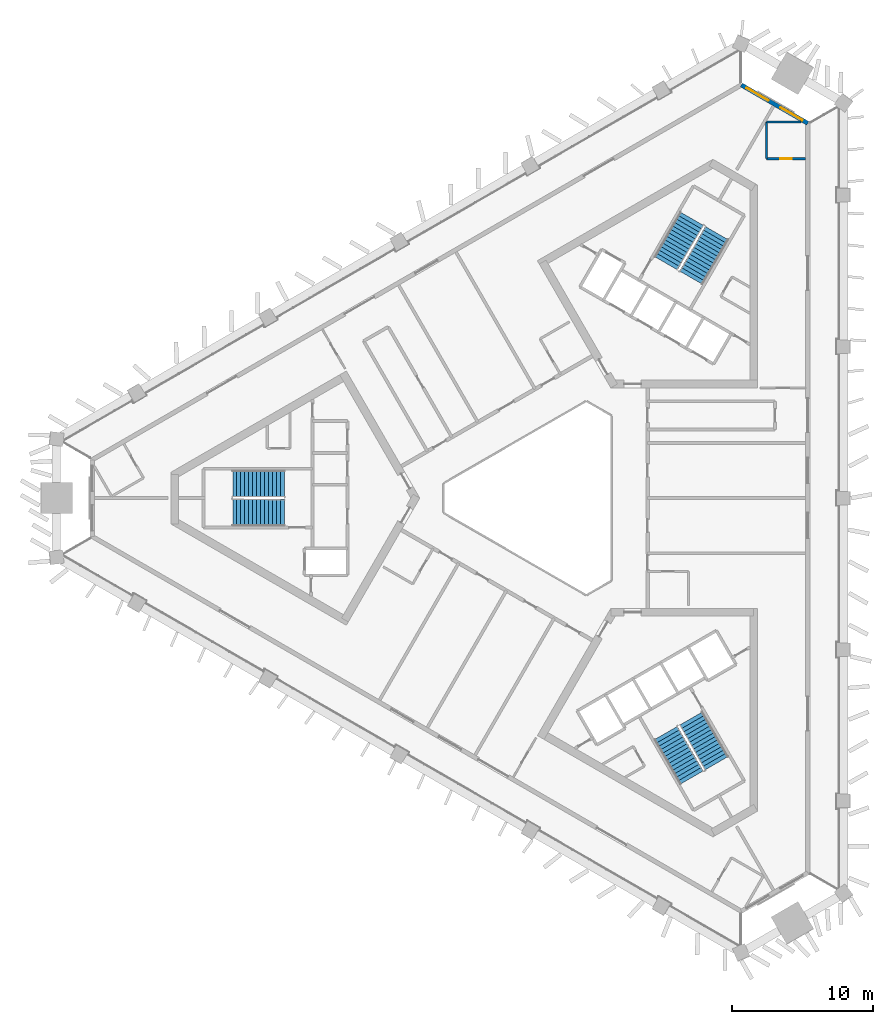
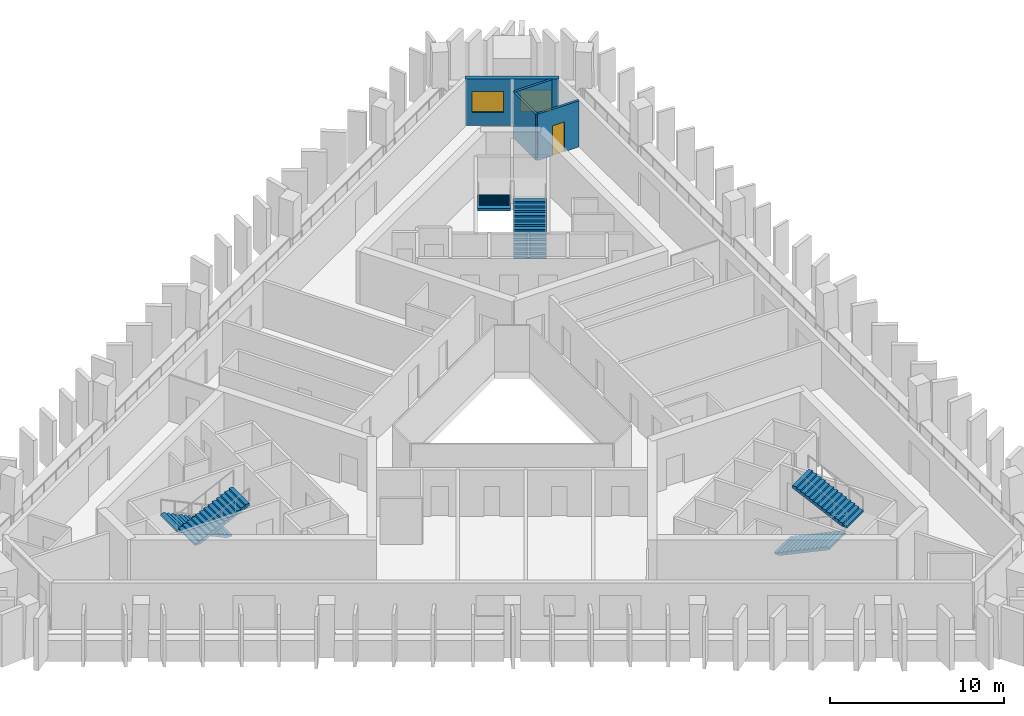
# One storey, part 6 of 9: 6 stair flights, 4 walls, 2 windows, 1 door, 3 openings, 3 elements without a shape of their own.
"""IFC4 building model written with IfcOpenShell, lengths in metres."""

from ifc_helpers import new_model, si_unit, direction, frame, frame_2d, origin, place, context, subcontext, project, spatial, polyline, rectangle, outline, extrude, material, layer, layer_set, type_object, element, fill, aggregate, save


model = new_model("IFC4")

# Units and contexts
model_context = context("Model", 3, precision=1e-05, world=origin(), true_north=direction((0.0, 1.0)))
body_context = subcontext(model_context, "Body", "Model", "MODEL_VIEW")
ifc_project = project(units=[si_unit("LENGTHUNIT", "METRE"), si_unit("AREAUNIT", "SQUARE_METRE"), si_unit("VOLUMEUNIT", "CUBIC_METRE"), si_unit("PLANEANGLEUNIT", "RADIAN"), si_unit("MASSUNIT", "GRAM", prefix="KILO")], contexts=[model_context])

# Site, building, storey
site_placement = place(None, origin())
site = spatial("IfcSite", under=ifc_project, at=site_placement, CompositionType="ELEMENT")
building_placement = place(site_placement, origin())
building = spatial("IfcBuilding", under=site, at=building_placement, Name="Jabali Bay Hotel Tower and Convention Centre", CompositionType="ELEMENT")
storey_placement = place(building_placement, frame((0.0, 0.0, 182.199951171875)))
storey = spatial("IfcBuildingStorey", under=building, at=storey_placement, Name="L44", CompositionType="ELEMENT", Elevation=182.199951171875)

# Wall, openings, windows
ifc_material_1 = material(Name="Concrete C40", Category="concrete")
ifc_layer_1 = layer(ifc_material_1, 0.300048828125)
ifc_layer_set_1 = layer_set([ifc_layer_1], Name="Concrete C40")
wall_type_1 = type_object("IfcWallType", Name="External wall 300", PredefinedType="SOLIDWALL", material=ifc_layer_set_1)
wall_1_placement = place(storey_placement, frame((88.732177734375, 109.206298828125, 0.0), z_axis=(0.0, 0.0, 1.0), x_axis=(0.866006352826, -0.500032995777, 0.0)))
wall_1 = element("IfcWall", 1, at=wall_1_placement, inside=storey, type_object=wall_type_1, Name="External wall north-east chamfer L44", PredefinedType="SOLIDWALL", context=body_context, shape_type="SweptSolid", body=[
    extrude(rectangle(XDim=5.421630859375, YDim=0.300048828125, at=frame_2d((2.7109375, 0.0))), origin(), (0.0, 0.0, 1.0), 3.25),
])
opening_1_placement = place(wall_1_placement, frame((3.197998046875, 0.0, 0.89990234375)))
opening_1 = element("IfcOpeningElement", 2, at=opening_1_placement, cuts=wall_1, Name="Opening W1", PredefinedType="OPENING", context=body_context, shape_type="SweptSolid", body=[
    extrude(rectangle(XDim=1.800048828125, YDim=1.5, at=frame_2d((0.89990234375, 0.75))), frame((0.0, 0.16064453125, 0.0), z_axis=(0.0, -1.0, 0.0), x_axis=(1.0, 0.0, 0.0)), (0.0, 0.0, 1.0), 0.321044921875),
])
opening_2_placement = place(wall_1_placement, frame((0.41259765625, 0.0, 0.89990234375)))
opening_2 = element("IfcOpeningElement", 3, at=opening_2_placement, cuts=wall_1, Name="Opening W1", PredefinedType="OPENING", context=body_context, shape_type="SweptSolid", body=[
    extrude(rectangle(XDim=1.800048828125, YDim=1.5, at=frame_2d((0.89990234375, 0.75))), frame((0.0, 0.16064453125, 0.0), z_axis=(0.0, -1.0, 0.0), x_axis=(1.0, 0.0, 0.0)), (0.0, 0.0, 1.0), 0.321044921875),
])
ifc_material_2 = material(Name="Glass", Category="glass")
window_type = type_object("IfcWindowType", Name="Window 1800 x 1500", PartitioningType="SINGLE_PANEL", PredefinedType="WINDOW", material=ifc_material_2)
window_1_placement = place(opening_1_placement, origin())
window_1 = element("IfcWindow", 4, at=window_1_placement, inside=storey, type_object=window_type, Name="Window 4404", OverallHeight=1.5, OverallWidth=1.800048828125, PartitioningType="SINGLE_PANEL", PredefinedType="WINDOW", context=body_context, shape_type="SweptSolid", body=[
    extrude(rectangle(XDim=1.800048828125, YDim=1.5, at=frame_2d((0.89990234375, 0.75))), frame((0.0, 0.030029296875, 0.0), z_axis=(0.0, -1.0, 0.0), x_axis=(1.0, 0.0, 0.0)), (0.0, 0.0, 1.0), 0.06005859375),
])
fill(opening_1, window_1)
window_2_placement = place(opening_2_placement, origin())
window_2 = element("IfcWindow", 5, at=window_2_placement, inside=storey, type_object=window_type, Name="Window 4406", OverallHeight=1.5, OverallWidth=1.800048828125, PartitioningType="SINGLE_PANEL", PredefinedType="WINDOW", context=body_context, shape_type="SweptSolid", body=[
    extrude(rectangle(XDim=1.800048828125, YDim=1.5, at=frame_2d((0.89990234375, 0.75))), frame((0.0, 0.030029296875, 0.0), z_axis=(0.0, -1.0, 0.0), x_axis=(1.0, 0.0, 0.0)), (0.0, 0.0, 1.0), 0.06005859375),
])
fill(opening_2, window_2)

# Wall, opening, door
ifc_material_3 = material(Name="Plasterboard on steel stud", Category="steel")
ifc_layer_2 = layer(ifc_material_3, 0.14990234375)
ifc_layer_set_2 = layer_set([ifc_layer_2], Name="Plasterboard on steel stud")
wall_type_2 = type_object("IfcWallType", Name="Partition 150 wet", PredefinedType="PARTITIONING", material=ifc_layer_set_2)
wall_2_placement = place(storey_placement, frame((93.2783203125, 103.994140625, 0.0), z_axis=(0.0, 0.0, 1.0), x_axis=(-1.0, 0.0, 0.0)))
wall_2 = element("IfcWall", 6, at=wall_2_placement, inside=storey, type_object=wall_type_2, Name="Partition P03 L44 011", PredefinedType="PARTITIONING", context=body_context, shape_type="SweptSolid", body=[
    extrude(rectangle(XDim=2.77685546875, YDim=0.14990234375, at=frame_2d((1.388427734375, 0.0))), origin(), (0.0, 0.0, 1.0), 3.25),
])
opening_3_placement = place(wall_2_placement, frame((0.988037109375, 0.0, 0.0)))
opening_3 = element("IfcOpeningElement", 7, at=opening_3_placement, cuts=wall_2, Name="Opening 4407", PredefinedType="OPENING", context=body_context, shape_type="SweptSolid", body=[
    extrude(rectangle(XDim=0.800048828125, YDim=2.10009765625, at=frame_2d((0.39990234375, 1.050048828125))), frame((0.0, 0.08544921875, 0.0), z_axis=(0.0, -1.0, 0.0), x_axis=(1.0, 0.0, 0.0)), (0.0, 0.0, 1.0), 0.1708984375),
])
ifc_material_4 = material(Name="Timber", Category="wood")
door_type = type_object("IfcDoorType", Name="En-suite door 800 x 2100", OperationType="NOTDEFINED", PredefinedType="NOTDEFINED", material=ifc_material_4)
door_placement = place(opening_3_placement, origin())
door = element("IfcDoor", 8, at=door_placement, inside=storey, type_object=door_type, Name="Door 4407", OperationType="SINGLE_SWING_RIGHT", OverallHeight=2.10009765625, OverallWidth=0.800048828125, PredefinedType="NOTDEFINED", context=body_context, shape_type="SweptSolid", body=[
    extrude(rectangle(XDim=0.800048828125, YDim=2.10009765625, at=frame_2d((0.39990234375, 1.050048828125))), frame((0.0, 0.02490234375, 0.0), z_axis=(0.0, -1.0, 0.0), x_axis=(1.0, 0.0, 0.0)), (0.0, 0.0, 1.0), 0.050048828125),
])
fill(opening_3, door)

# Walls
wall_3_placement = place(storey_placement, frame((90.50146484375, 103.994140625, 0.0), z_axis=(0.0, 0.0, 1.0), x_axis=(0.0, 1.0, 0.0)))
element("IfcWall", 9, at=wall_3_placement, inside=storey, type_object=wall_type_2, Name="Partition P03 L44 012", PredefinedType="PARTITIONING", context=body_context, shape_type="SweptSolid", body=[
    extrude(rectangle(XDim=2.60009765625, YDim=0.14990234375, at=frame_2d((1.300048828125, 0.0))), origin(), (0.0, 0.0, 1.0), 3.25),
])
wall_4_placement = place(storey_placement, frame((90.50146484375, 106.59423828125, 0.0), z_axis=(0.0, 0.0, 1.0), x_axis=(1.0, 0.0, 0.0)))
element("IfcWall", 10, at=wall_4_placement, inside=storey, type_object=wall_type_2, Name="Partition P03 L44 013", PredefinedType="PARTITIONING", context=body_context, shape_type="SweptSolid", body=[
    extrude(rectangle(XDim=2.456787109375, YDim=0.14990234375, at=frame_2d((1.228515625, 0.0))), origin(), (0.0, 0.0, 1.0), 3.25),
])

# Stair, stair flights
stair_type = type_object("IfcStairType", Name="Exit stair 1900", PredefinedType="HALF_TURN_STAIR", material=ifc_material_1)
stair_1_placement = place(storey_placement, origin())
stair_1 = element("IfcStair", 11, at=stair_1_placement, inside=storey, type_object=stair_type, Name="L44 Exit Stair 1", PredefinedType="HALF_TURN_STAIR")
stair_flight_type = type_object("IfcStairFlightType", Name="Stair flight concrete 150", PredefinedType="STRAIGHT", material=ifc_material_1)
stair_flight_1_placement = place(storey_placement, frame((56.419921875, 81.02490234375, 0.0), z_axis=(0.0, 0.0, 1.0), x_axis=(-1.0, 0.0, 0.0)))
stair_flight_1 = element("IfcStairFlight", 12, at=stair_flight_1_placement, type_object=stair_flight_type, Name="ST1 flight 1", NumberOfRisers=14, NumberOfTreads=13, PredefinedType="STRAIGHT", RiserHeight=0.132142857, TreadLength=0.28, context=body_context, shape_type="SweptSolid", body=[
    extrude(outline(polyline([(0.0, 0.0), (0.0, 0.132080078125), (0.280029296875, 0.132080078125), (0.280029296875, 0.264404296875), (0.56005859375, 0.264404296875), (0.56005859375, 0.396484375), (0.840087890625, 0.396484375), (0.840087890625, 0.528564453125), (1.1201171875, 0.528564453125), (1.1201171875, 0.66064453125), (1.39990234375, 0.66064453125), (1.39990234375, 0.79296875), (1.679931640625, 0.79296875), (1.679931640625, 0.925048828125), (1.9599609375, 0.925048828125), (1.9599609375, 1.05712890625), (2.239990234375, 1.05712890625), (2.239990234375, 1.189208984375), (2.52001953125, 1.189208984375), (2.52001953125, 1.321533203125), (2.800048828125, 1.321533203125), (2.800048828125, 1.45361328125), (3.080078125, 1.45361328125), (3.080078125, 1.585693359375), (3.360107421875, 1.585693359375), (3.360107421875, 1.7177734375), (3.639892578125, 1.7177734375), (3.639892578125, 1.85009765625), (3.639892578125, 1.552001953125), (0.351318359375, 0.0), (0.0, 0.0)])), frame((0.0, 0.949951171875, 0.0), z_axis=(0.0, -1.0, 0.0), x_axis=(1.0, 0.0, 0.0)), (0.0, 0.0, 1.0), 1.89990234375),
])
stair_flight_2_placement = place(storey_placement, frame((52.780029296875, 78.97509765625, 1.85009765625), z_axis=(0.0, 0.0, 1.0), x_axis=(1.0, 0.0, 0.0)))
stair_flight_2 = element("IfcStairFlight", 13, at=stair_flight_2_placement, type_object=stair_flight_type, Name="ST1 flight 2", NumberOfRisers=14, NumberOfTreads=13, PredefinedType="STRAIGHT", RiserHeight=0.132142857, TreadLength=0.28, context=body_context, shape_type="SweptSolid", body=[
    extrude(outline(polyline([(0.0, 0.0), (0.0, 0.132080078125), (0.280029296875, 0.132080078125), (0.280029296875, 0.264404296875), (0.56005859375, 0.264404296875), (0.56005859375, 0.396484375), (0.840087890625, 0.396484375), (0.840087890625, 0.528564453125), (1.1201171875, 0.528564453125), (1.1201171875, 0.66064453125), (1.39990234375, 0.66064453125), (1.39990234375, 0.79296875), (1.679931640625, 0.79296875), (1.679931640625, 0.925048828125), (1.9599609375, 0.925048828125), (1.9599609375, 1.05712890625), (2.239990234375, 1.05712890625), (2.239990234375, 1.189208984375), (2.52001953125, 1.189208984375), (2.52001953125, 1.321533203125), (2.800048828125, 1.321533203125), (2.800048828125, 1.45361328125), (3.080078125, 1.45361328125), (3.080078125, 1.585693359375), (3.360107421875, 1.585693359375), (3.360107421875, 1.7177734375), (3.639892578125, 1.7177734375), (3.639892578125, 1.85009765625), (3.639892578125, 1.552001953125), (0.351318359375, 0.0), (0.0, 0.0)])), frame((0.0, 0.949951171875, 0.0), z_axis=(0.0, -1.0, 0.0), x_axis=(1.0, 0.0, 0.0)), (0.0, 0.0, 1.0), 1.89990234375),
])
aggregate(stair_1, [stair_flight_1, stair_flight_2])

stair_2_placement = place(storey_placement, origin())
stair_2 = element("IfcStair", 14, at=stair_2_placement, inside=storey, type_object=stair_type, Name="L44 Exit Stair 2", PredefinedType="HALF_TURN_STAIR")
stair_flight_3_placement = place(storey_placement, frame((85.177734375, 95.578369140625, 0.0), z_axis=(0.0, 0.0, 1.0), x_axis=(0.5, 0.866025403784, 0.0)))
stair_flight_3 = element("IfcStairFlight", 15, at=stair_flight_3_placement, type_object=stair_flight_type, Name="ST2 flight 1", NumberOfRisers=14, NumberOfTreads=13, PredefinedType="STRAIGHT", RiserHeight=0.132142857, TreadLength=0.28, context=body_context, shape_type="SweptSolid", body=[
    extrude(outline(polyline([(0.0, 0.0), (0.0, 0.132080078125), (0.280029296875, 0.132080078125), (0.280029296875, 0.264404296875), (0.56005859375, 0.264404296875), (0.56005859375, 0.396484375), (0.840087890625, 0.396484375), (0.840087890625, 0.528564453125), (1.1201171875, 0.528564453125), (1.1201171875, 0.66064453125), (1.39990234375, 0.66064453125), (1.39990234375, 0.79296875), (1.679931640625, 0.79296875), (1.679931640625, 0.925048828125), (1.9599609375, 0.925048828125), (1.9599609375, 1.05712890625), (2.239990234375, 1.05712890625), (2.239990234375, 1.189208984375), (2.52001953125, 1.189208984375), (2.52001953125, 1.321533203125), (2.800048828125, 1.321533203125), (2.800048828125, 1.45361328125), (3.080078125, 1.45361328125), (3.080078125, 1.585693359375), (3.360107421875, 1.585693359375), (3.360107421875, 1.7177734375), (3.639892578125, 1.7177734375), (3.639892578125, 1.85009765625), (3.639892578125, 1.552001953125), (0.351318359375, 0.0), (0.0, 0.0)])), frame((0.0, 0.949951171875, 0.0), z_axis=(0.0, -1.0, 0.0), x_axis=(1.0, 0.0, 0.0)), (0.0, 0.0, 1.0), 1.89990234375),
])
stair_flight_4_placement = place(storey_placement, frame((85.222412109375, 99.755615234375, 1.85009765625), z_axis=(0.0, 0.0, 1.0), x_axis=(-0.5, -0.866025403784, 0.0)))
stair_flight_4 = element("IfcStairFlight", 16, at=stair_flight_4_placement, type_object=stair_flight_type, Name="ST2 flight 2", NumberOfRisers=14, NumberOfTreads=13, PredefinedType="STRAIGHT", RiserHeight=0.132142857, TreadLength=0.28, context=body_context, shape_type="SweptSolid", body=[
    extrude(outline(polyline([(0.0, 0.0), (0.0, 0.132080078125), (0.280029296875, 0.132080078125), (0.280029296875, 0.264404296875), (0.56005859375, 0.264404296875), (0.56005859375, 0.396484375), (0.840087890625, 0.396484375), (0.840087890625, 0.528564453125), (1.1201171875, 0.528564453125), (1.1201171875, 0.66064453125), (1.39990234375, 0.66064453125), (1.39990234375, 0.79296875), (1.679931640625, 0.79296875), (1.679931640625, 0.925048828125), (1.9599609375, 0.925048828125), (1.9599609375, 1.05712890625), (2.239990234375, 1.05712890625), (2.239990234375, 1.189208984375), (2.52001953125, 1.189208984375), (2.52001953125, 1.321533203125), (2.800048828125, 1.321533203125), (2.800048828125, 1.45361328125), (3.080078125, 1.45361328125), (3.080078125, 1.585693359375), (3.360107421875, 1.585693359375), (3.360107421875, 1.7177734375), (3.639892578125, 1.7177734375), (3.639892578125, 1.85009765625), (3.639892578125, 1.552001953125), (0.351318359375, 0.0), (0.0, 0.0)])), frame((0.0, 0.949951171875, 0.0), z_axis=(0.0, -1.0, 0.0), x_axis=(1.0, 0.0, 0.0)), (0.0, 0.0, 1.0), 1.89990234375),
])
aggregate(stair_2, [stair_flight_3, stair_flight_4])

stair_3_placement = place(storey_placement, origin())
stair_3 = element("IfcStair", 17, at=stair_3_placement, inside=storey, type_object=stair_type, Name="L44 Exit Stair 3", PredefinedType="HALF_TURN_STAIR")
stair_flight_5_placement = place(storey_placement, frame((83.40234375, 63.396728515625, 0.0), z_axis=(0.0, 0.0, 1.0), x_axis=(0.5, -0.866025403784, 0.0)))
stair_flight_5 = element("IfcStairFlight", 18, at=stair_flight_5_placement, type_object=stair_flight_type, Name="ST3 flight 1", NumberOfRisers=14, NumberOfTreads=13, PredefinedType="STRAIGHT", RiserHeight=0.132142857, TreadLength=0.28, context=body_context, shape_type="SweptSolid", body=[
    extrude(outline(polyline([(0.0, 0.0), (0.0, 0.132080078125), (0.280029296875, 0.132080078125), (0.280029296875, 0.264404296875), (0.56005859375, 0.264404296875), (0.56005859375, 0.396484375), (0.840087890625, 0.396484375), (0.840087890625, 0.528564453125), (1.1201171875, 0.528564453125), (1.1201171875, 0.66064453125), (1.39990234375, 0.66064453125), (1.39990234375, 0.79296875), (1.679931640625, 0.79296875), (1.679931640625, 0.925048828125), (1.9599609375, 0.925048828125), (1.9599609375, 1.05712890625), (2.239990234375, 1.05712890625), (2.239990234375, 1.189208984375), (2.52001953125, 1.189208984375), (2.52001953125, 1.321533203125), (2.800048828125, 1.321533203125), (2.800048828125, 1.45361328125), (3.080078125, 1.45361328125), (3.080078125, 1.585693359375), (3.360107421875, 1.585693359375), (3.360107421875, 1.7177734375), (3.639892578125, 1.7177734375), (3.639892578125, 1.85009765625), (3.639892578125, 1.552001953125), (0.351318359375, 0.0), (0.0, 0.0)])), frame((0.0, 0.949951171875, 0.0), z_axis=(0.0, -1.0, 0.0), x_axis=(1.0, 0.0, 0.0)), (0.0, 0.0, 1.0), 1.89990234375),
])
stair_flight_6_placement = place(storey_placement, frame((86.99755859375, 61.26953125, 1.85009765625), z_axis=(0.0, 0.0, 1.0), x_axis=(-0.5, 0.866025403784, 0.0)))
stair_flight_6 = element("IfcStairFlight", 19, at=stair_flight_6_placement, type_object=stair_flight_type, Name="ST3 flight 2", NumberOfRisers=14, NumberOfTreads=13, PredefinedType="STRAIGHT", RiserHeight=0.132142857, TreadLength=0.28, context=body_context, shape_type="SweptSolid", body=[
    extrude(outline(polyline([(0.0, 0.0), (0.0, 0.132080078125), (0.280029296875, 0.132080078125), (0.280029296875, 0.264404296875), (0.56005859375, 0.264404296875), (0.56005859375, 0.396484375), (0.840087890625, 0.396484375), (0.840087890625, 0.528564453125), (1.1201171875, 0.528564453125), (1.1201171875, 0.66064453125), (1.39990234375, 0.66064453125), (1.39990234375, 0.79296875), (1.679931640625, 0.79296875), (1.679931640625, 0.925048828125), (1.9599609375, 0.925048828125), (1.9599609375, 1.05712890625), (2.239990234375, 1.05712890625), (2.239990234375, 1.189208984375), (2.52001953125, 1.189208984375), (2.52001953125, 1.321533203125), (2.800048828125, 1.321533203125), (2.800048828125, 1.45361328125), (3.080078125, 1.45361328125), (3.080078125, 1.585693359375), (3.360107421875, 1.585693359375), (3.360107421875, 1.7177734375), (3.639892578125, 1.7177734375), (3.639892578125, 1.85009765625), (3.639892578125, 1.552001953125), (0.351318359375, 0.0), (0.0, 0.0)])), frame((0.0, 0.949951171875, 0.0), z_axis=(0.0, -1.0, 0.0), x_axis=(1.0, 0.0, 0.0)), (0.0, 0.0, 1.0), 1.89990234375),
])
aggregate(stair_3, [stair_flight_5, stair_flight_6])

save(model, "model.ifc")
